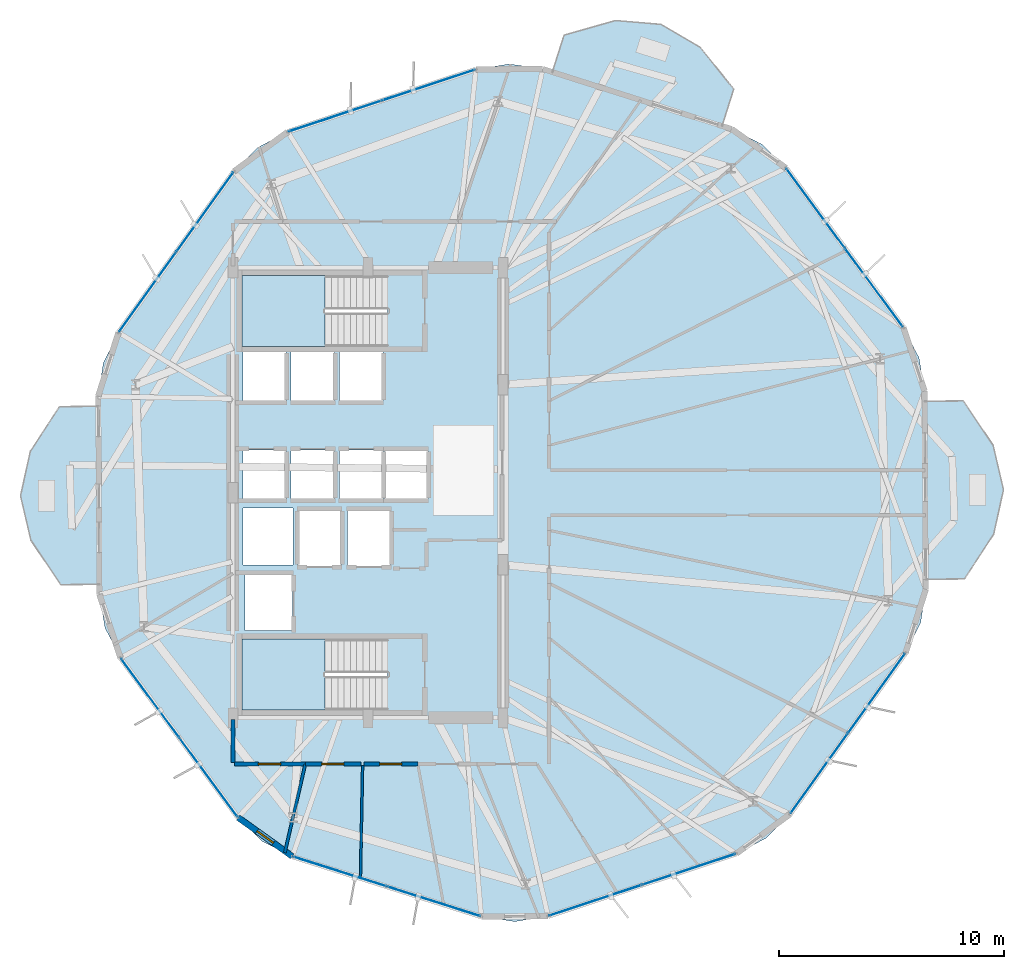
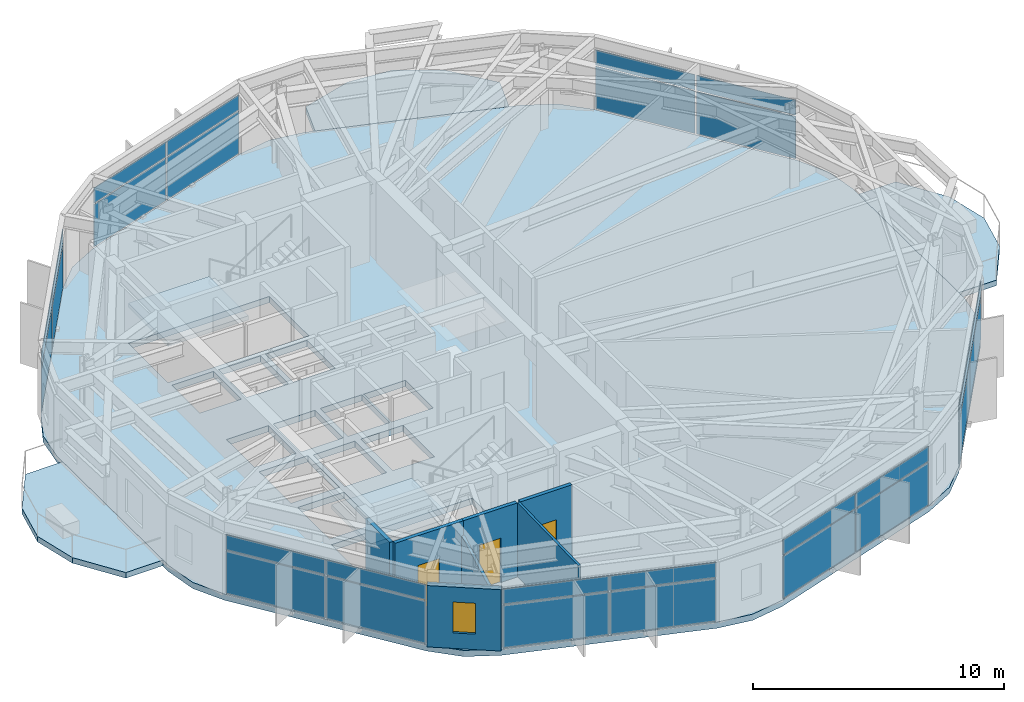
# One storey, part 20 of 27: 28 plates, 7 walls, 6 slabs, 3 doors, 1 window, 4 openings, 9 elements without a shape of their own.
"""IFC4 building model written with IfcOpenShell, lengths in metres."""

import ifcopenshell
import ifcopenshell.guid

model = None  # the IFC model being written
_history = None  # IfcOwnerHistory: only IFC2X3 demands one
_inside = {}  # id of a spatial element -> (the spatial element, [elements in it])
_under = {}  # id of a project, library or spatial element -> (it, [spatial elements below it])
_declared = {}  # id of a project -> (the project, [libraries it declares])
_typed = {}  # id of a type object -> (the type object, [elements of that type])
_made_of = {}  # id of a material, layer set ... -> (it, [elements and type objects made of it])


def new_model(schema):
    """Start an empty IFC model of exactly this schema.

    Asked for "IFC4X3", IfcOpenShell would pick the latest addendum, in which some entities
    have other attributes; the version numbers below select the first issue.
    IFC2X3 requires an IfcOwnerHistory on every rooted entity: one is made here for all.
    """
    global model, _history
    if schema == "IFC4X3":
        model = ifcopenshell.file(schema_version=(4, 3, 0, 0))
    else:
        model = ifcopenshell.file(schema=schema)
    _inside.clear()
    _under.clear()
    _declared.clear()
    _typed.clear()
    _made_of.clear()
    _history = None
    if model.schema == "IFC2X3":
        org = make("IfcOrganization", Name="unknown")
        user = make(
            "IfcPersonAndOrganization",
            ThePerson=make("IfcPerson", FamilyName="unknown"),
            TheOrganization=org,
        )
        app = make(
            "IfcApplication",
            ApplicationDeveloper=org,
            Version="unknown",
            ApplicationFullName="unknown",
            ApplicationIdentifier="unknown",
        )
        _history = make(
            "IfcOwnerHistory",
            OwningUser=user,
            OwningApplication=app,
            ChangeAction="ADDED",
            CreationDate=0,
        )
    return model


def make(cls, **values):
    """One entity of the class cls with the attributes given. An attribute that is None is left unset."""
    return model.create_entity(
        cls, **{name: value for name, value in values.items() if value is not None}
    )


def rooted(cls, **values):
    """An entity with a GlobalId (a new one), such as an element, a storey or a relation."""
    return make(cls, GlobalId=ifcopenshell.guid.new(), OwnerHistory=_history, **values)


def si_unit(unit_type, name, prefix=None):
    """IfcSIUnit, for example si_unit("LENGTHUNIT", "METRE", prefix="MILLI")."""
    return make("IfcSIUnit", UnitType=unit_type, Prefix=prefix, Name=name)


def assignment(units):
    """IfcUnitAssignment: the units of a project."""
    return None if units is None else make("IfcUnitAssignment", Units=units)


def point(xyz):
    """IfcCartesianPoint."""
    return None if xyz is None else make("IfcCartesianPoint", Coordinates=xyz)


def direction(xyz):
    """IfcDirection."""
    return None if xyz is None else make("IfcDirection", DirectionRatios=xyz)


def frame(location, z_axis=None, x_axis=None):
    """IfcAxis2Placement3D, a coordinate frame: its origin and axes. An axis left out is left unset."""
    return make(
        "IfcAxis2Placement3D",
        Location=point(location),
        Axis=direction(z_axis),
        RefDirection=direction(x_axis),
    )


def frame_2d(location, x_axis=None):
    """IfcAxis2Placement2D, a coordinate frame in the plane: its origin and x axis."""
    return make(
        "IfcAxis2Placement2D", Location=point(location), RefDirection=direction(x_axis)
    )


def origin():
    """The frame at (0, 0, 0) with its axes left unset."""
    return frame((0.0, 0.0, 0.0))


def origin_2d():
    """The frame at (0, 0) in the plane with its x axis left unset."""
    return frame_2d((0.0, 0.0))


def place(relative_to, where):
    """IfcLocalPlacement: puts the frame where relative to a parent placement (None: the world)."""
    return make(
        "IfcLocalPlacement", PlacementRelTo=relative_to, RelativePlacement=where
    )


def context(
    kind, dimensions, precision=None, world=None, true_north=None, identifier=None
):
    """IfcGeometricRepresentationContext, for example the 3D "Model" context."""
    return make(
        "IfcGeometricRepresentationContext",
        ContextIdentifier=identifier,
        ContextType=kind,
        CoordinateSpaceDimension=dimensions,
        Precision=precision,
        WorldCoordinateSystem=world,
        TrueNorth=true_north,
    )


def subcontext(parent, identifier, kind, view, scale=None):
    """IfcGeometricRepresentationSubContext, for example "Body" below "Model"."""
    return make(
        "IfcGeometricRepresentationSubContext",
        ContextIdentifier=identifier,
        ContextType=kind,
        ParentContext=parent,
        TargetScale=scale,
        TargetView=view,
    )


def project(units=None, contexts=None):
    """IfcProject with its units and contexts."""
    return rooted(
        "IfcProject",
        Name="project",
        RepresentationContexts=contexts,
        UnitsInContext=assignment(units),
    )


def spatial(cls, under=None, at=None, **own):
    """A site, building, storey or space (cls), placed at a placement, below another one or the project."""
    s = rooted(cls, ObjectPlacement=at, **own)
    if under is not None:
        _under.setdefault(under.id(), (under, []))[1].append(s)
    return s


def polyline(points):
    """IfcPolyline through the points."""
    return make("IfcPolyline", Points=[point(p) for p in points])


def profile(cls, at=None, kind="AREA", **sizes):
    """A parametric profile (cls). Its sizes go by their IFC names, for example OverallWidth=200.0."""
    return make(cls, ProfileType=kind, Position=at, **sizes)


def rectangle(**sizes):
    """IfcRectangleProfileDef."""
    return profile("IfcRectangleProfileDef", **sizes)


def outline(outer, holes=None, kind="AREA"):
    """IfcArbitraryClosedProfileDef: a profile drawn as a closed curve; with holes, ...WithVoids."""
    if holes is None:
        return make("IfcArbitraryClosedProfileDef", ProfileType=kind, OuterCurve=outer)
    return make(
        "IfcArbitraryProfileDefWithVoids",
        ProfileType=kind,
        OuterCurve=outer,
        InnerCurves=holes,
    )


def extrude(swept, where, along, depth):
    """IfcExtrudedAreaSolid: the profile swept, set in the frame where, extruded along a direction by depth."""
    return make(
        "IfcExtrudedAreaSolid",
        SweptArea=swept,
        Position=where,
        ExtrudedDirection=direction(along),
        Depth=depth,
    )


def shape(context_of_items, identifier, shape_type, items):
    """IfcShapeRepresentation: the items that make up one representation, for example the "Body"."""
    return make(
        "IfcShapeRepresentation",
        ContextOfItems=context_of_items,
        RepresentationIdentifier=identifier,
        RepresentationType=shape_type,
        Items=items,
    )


def material(Name=None, Category=None):
    """IfcMaterial."""
    return make("IfcMaterial", Name=Name, Category=Category)


def layer(
    of_material, thickness, ventilated=None, Name=None, Category=None, Priority=None
):
    """IfcMaterialLayer: one layer of a wall or slab, of a material (None: an air gap)."""
    return make(
        "IfcMaterialLayer",
        Material=of_material,
        LayerThickness=thickness,
        IsVentilated=ventilated,
        Name=Name,
        Category=Category,
        Priority=Priority,
    )


def layer_set(layers, Name=None):
    """IfcMaterialLayerSet."""
    return make("IfcMaterialLayerSet", MaterialLayers=layers, LayerSetName=Name)


def made_of(thing, what):
    """Note that an element or type object is made of a material, layer set ...; save() writes the relation."""
    if what is not None:
        _made_of.setdefault(what.id(), (what, []))[1].append(thing)
    return thing


def type_object(cls, material=None, **own):
    """A type object (cls), such as IfcWallType, which elements share."""
    return made_of(rooted(cls, **own), material)


def element(
    cls,
    number,
    at=None,
    inside=None,
    cuts=None,
    type_object=None,
    material=None,
    context=None,
    identifier="Body",
    shape_type=None,
    held_by="IfcProductDefinitionShape",
    body=None,
    shapes=None,
    **own,
):
    """One element of the class cls, such as IfcWall. Its Tag is "e" and its number.

    at: its placement. inside: the storey or other place that contains it. cuts: it is an
    opening in that element (IfcRelVoidsElement). A single representation is given by context,
    identifier, shape_type and body (its items); several are given by shapes. held_by: the class
    of the entity that holds the representations. save() writes the other relations.
    """
    e = rooted(cls, Tag="e%d" % number, ObjectPlacement=at, **own)
    if body is not None:
        shapes = [shape(context, identifier, shape_type, body)]
    if shapes is not None:
        e.Representation = make(held_by, Representations=shapes)
    if inside is not None:
        _inside.setdefault(inside.id(), (inside, []))[1].append(e)
    if cuts is not None:
        rooted(
            "IfcRelVoidsElement", RelatingBuildingElement=cuts, RelatedOpeningElement=e
        )
    if type_object is not None:
        _typed.setdefault(type_object.id(), (type_object, []))[1].append(e)
    return made_of(e, material)


def fill(opening, filler):
    """IfcRelFillsElement: the door or window that sits in an opening."""
    return rooted(
        "IfcRelFillsElement",
        RelatingOpeningElement=opening,
        RelatedBuildingElement=filler,
    )


def aggregate(whole, parts):
    """IfcRelAggregates: a whole, such as a stair, and the parts it consists of."""
    return rooted("IfcRelAggregates", RelatingObject=whole, RelatedObjects=parts)


def save(model, path):
    """Write the relations noted so far, then the file.

    IfcRelAggregates (storeys below a building ...), IfcRelContainedInSpatialStructure (elements
    in a storey), IfcRelDefinesByType, IfcRelAssociatesMaterial and IfcRelDeclares: one each for
    every whole, place, type object, material and project.
    """
    for whole, parts in _under.values():
        aggregate(whole, parts)
    for where, things in _inside.values():
        rooted(
            "IfcRelContainedInSpatialStructure",
            RelatedElements=things,
            RelatingStructure=where,
        )
    for kind, things in _typed.values():
        rooted("IfcRelDefinesByType", RelatedObjects=things, RelatingType=kind)
    for what, things in _made_of.values():
        rooted("IfcRelAssociatesMaterial", RelatedObjects=things, RelatingMaterial=what)
    for by, libraries in _declared.values():
        rooted("IfcRelDeclares", RelatingContext=by, RelatedDefinitions=libraries)
    model.write(path)


model = new_model("IFC4")

# Units and contexts
model_context = context("Model", 3, precision=1e-05, world=origin(), true_north=direction((0.0, 1.0)))
body_context = subcontext(model_context, "Body", "Model", "MODEL_VIEW")
ifc_project = project(units=[si_unit("LENGTHUNIT", "METRE"), si_unit("AREAUNIT", "SQUARE_METRE"), si_unit("VOLUMEUNIT", "CUBIC_METRE"), si_unit("PLANEANGLEUNIT", "RADIAN"), si_unit("MASSUNIT", "GRAM", prefix="KILO")], contexts=[model_context])

# Site, building, storey
site_placement = place(None, origin())
site = spatial("IfcSite", under=ifc_project, at=site_placement, CompositionType="ELEMENT")
building_placement = place(site_placement, origin())
building = spatial("IfcBuilding", under=site, at=building_placement, Name="Soratama Intermodal Tower", CompositionType="ELEMENT")
storey_placement = place(building_placement, frame((0.0, 0.0, 99.10009765625)))
storey = spatial("IfcBuildingStorey", under=building, at=storey_placement, Name="L23", CompositionType="ELEMENT", Elevation=99.10009765625)

# Curtain wall, plates
ifc_material_1 = material(Name="Double-glazed aluminium curtain wall", Category="aluminium")
ifc_layer_1 = layer(ifc_material_1, 0.159912109375)
ifc_layer_set_1 = layer_set([ifc_layer_1], Name="Double-glazed aluminium curtain wall")
curtain_wall_type = type_object("IfcCurtainWallType", Name="CW-SYS-3", PredefinedType="NOTDEFINED", material=ifc_layer_set_1)
curtain_wall_1_placement = place(storey_placement, origin())
curtain_wall_1 = element("IfcCurtainWall", 1, at=curtain_wall_1_placement, inside=storey, type_object=curtain_wall_type, Name="L23 Faceted Curtain Wall F01", PredefinedType="NOTDEFINED")
ifc_material_2 = material(Name="Low-E laminated double glazing", Category="glass")
ifc_layer_2 = layer(ifc_material_2, 0.028076171875)
ifc_layer_set_2 = layer_set([ifc_layer_2], Name="Low-E laminated double glazing")
plate_type = type_object("IfcPlateType", Name="PT-CWP-3", PredefinedType="CURTAIN_PANEL", material=ifc_layer_set_2)
plate_1_placement = place(storey_placement, frame((61.0751953125, 34.119140625, 0.059814453125), z_axis=(0.0, 0.0, 1.0), x_axis=(-0.592854250826, 0.805309777215, 0.0)))
plate_1 = element("IfcPlate", 2, at=plate_1_placement, type_object=plate_type, Name="CW-3 panel 1.1", PredefinedType="CURTAIN_PANEL", context=body_context, shape_type="SweptSolid", body=[
    extrude(rectangle(XDim=4.313232421875, YDim=0.028076171875, at=origin_2d()), origin(), (0.0, 0.0, 1.0), 2.06005859375),
])
plate_2_placement = place(storey_placement, frame((61.0751953125, 34.119140625, 2.1796875), z_axis=(0.0, 0.0, 1.0), x_axis=(-0.592854250826, 0.805309777215, 0.0)))
plate_2 = element("IfcPlate", 3, at=plate_2_placement, type_object=plate_type, Name="CW-3 panel 1.2", PredefinedType="CURTAIN_PANEL", context=body_context, shape_type="SweptSolid", body=[
    extrude(rectangle(XDim=4.313232421875, YDim=0.028076171875, at=origin_2d()), origin(), (0.0, 0.0, 1.0), 0.739013671875),
])
plate_3_placement = place(storey_placement, frame((58.482421875, 37.640869140625, 0.059814453125), z_axis=(0.0, 0.0, 1.0), x_axis=(-0.592854250826, 0.805309777215, 0.0)))
plate_3 = element("IfcPlate", 4, at=plate_3_placement, type_object=plate_type, Name="CW-3 panel 2.1", PredefinedType="CURTAIN_PANEL", context=body_context, shape_type="SweptSolid", body=[
    extrude(rectangle(XDim=4.313232421875, YDim=0.028076171875, at=origin_2d()), origin(), (0.0, 0.0, 1.0), 2.06005859375),
])
plate_4_placement = place(storey_placement, frame((58.482421875, 37.640869140625, 2.1796875), z_axis=(0.0, 0.0, 1.0), x_axis=(-0.592854250826, 0.805309777215, 0.0)))
plate_4 = element("IfcPlate", 5, at=plate_4_placement, type_object=plate_type, Name="CW-3 panel 2.2", PredefinedType="CURTAIN_PANEL", context=body_context, shape_type="SweptSolid", body=[
    extrude(rectangle(XDim=4.313232421875, YDim=0.028076171875, at=origin_2d()), origin(), (0.0, 0.0, 1.0), 0.739013671875),
])
aggregate(curtain_wall_1, [plate_1, plate_2, plate_3, plate_4])

curtain_wall_2_placement = place(storey_placement, origin())
curtain_wall_2 = element("IfcCurtainWall", 6, at=curtain_wall_2_placement, inside=storey, type_object=curtain_wall_type, Name="L23 Faceted Curtain Wall F03", PredefinedType="NOTDEFINED")
plate_5_placement = place(storey_placement, frame((41.294677734375, 43.1064453125, 0.059814453125), z_axis=(0.0, 0.0, 1.0), x_axis=(-0.949093556194, -0.314994319934, 0.0)))
plate_5 = element("IfcPlate", 7, at=plate_5_placement, type_object=plate_type, Name="CW-3 panel 1.1", PredefinedType="CURTAIN_PANEL", context=body_context, shape_type="SweptSolid", body=[
    extrude(rectangle(XDim=4.313232421875, YDim=0.028076171875, at=origin_2d()), origin(), (0.0, 0.0, 1.0), 2.06005859375),
])
plate_6_placement = place(storey_placement, frame((41.294677734375, 43.1064453125, 2.1796875), z_axis=(0.0, 0.0, 1.0), x_axis=(-0.949093556194, -0.314994319934, 0.0)))
plate_6 = element("IfcPlate", 8, at=plate_6_placement, type_object=plate_type, Name="CW-3 panel 1.2", PredefinedType="CURTAIN_PANEL", context=body_context, shape_type="SweptSolid", body=[
    extrude(rectangle(XDim=4.313232421875, YDim=0.028076171875, at=origin_2d()), origin(), (0.0, 0.0, 1.0), 0.739013671875),
])
plate_7_placement = place(storey_placement, frame((37.14404296875, 41.72900390625, 0.059814453125), z_axis=(0.0, 0.0, 1.0), x_axis=(-0.949093556194, -0.314994319934, 0.0)))
plate_7 = element("IfcPlate", 9, at=plate_7_placement, type_object=plate_type, Name="CW-3 panel 2.1", PredefinedType="CURTAIN_PANEL", context=body_context, shape_type="SweptSolid", body=[
    extrude(rectangle(XDim=4.313232421875, YDim=0.028076171875, at=origin_2d()), origin(), (0.0, 0.0, 1.0), 2.06005859375),
])
plate_8_placement = place(storey_placement, frame((37.14404296875, 41.72900390625, 2.1796875), z_axis=(0.0, 0.0, 1.0), x_axis=(-0.949093556194, -0.314994319934, 0.0)))
plate_8 = element("IfcPlate", 10, at=plate_8_placement, type_object=plate_type, Name="CW-3 panel 2.2", PredefinedType="CURTAIN_PANEL", context=body_context, shape_type="SweptSolid", body=[
    extrude(rectangle(XDim=4.313232421875, YDim=0.028076171875, at=origin_2d()), origin(), (0.0, 0.0, 1.0), 0.739013671875),
])
aggregate(curtain_wall_2, [plate_5, plate_6, plate_7, plate_8])

curtain_wall_3_placement = place(storey_placement, origin())
curtain_wall_3 = element("IfcCurtainWall", 11, at=curtain_wall_3_placement, inside=storey, type_object=curtain_wall_type, Name="L23 Faceted Curtain Wall F04", PredefinedType="NOTDEFINED")
plate_9_placement = place(storey_placement, frame((31.359619140625, 37.470458984375, 0.059814453125), z_axis=(0.0, 0.0, 1.0), x_axis=(-0.582687348774, -0.812696409232, 0.0)))
plate_9 = element("IfcPlate", 12, at=plate_9_placement, type_object=plate_type, Name="CW-3 panel 1.1", PredefinedType="CURTAIN_PANEL", context=body_context, shape_type="SweptSolid", body=[
    extrude(rectangle(XDim=4.313232421875, YDim=0.028076171875, at=origin_2d()), origin(), (0.0, 0.0, 1.0), 2.06005859375),
])
plate_10_placement = place(storey_placement, frame((31.359619140625, 37.470458984375, 2.1796875), z_axis=(0.0, 0.0, 1.0), x_axis=(-0.582687348774, -0.812696409232, 0.0)))
plate_10 = element("IfcPlate", 13, at=plate_10_placement, type_object=plate_type, Name="CW-3 panel 1.2", PredefinedType="CURTAIN_PANEL", context=body_context, shape_type="SweptSolid", body=[
    extrude(rectangle(XDim=4.313232421875, YDim=0.028076171875, at=origin_2d()), origin(), (0.0, 0.0, 1.0), 0.739013671875),
])
plate_11_placement = place(storey_placement, frame((28.8115234375, 33.916259765625, 0.059814453125), z_axis=(0.0, 0.0, 1.0), x_axis=(-0.582687348774, -0.812696409232, 0.0)))
plate_11 = element("IfcPlate", 14, at=plate_11_placement, type_object=plate_type, Name="CW-3 panel 2.1", PredefinedType="CURTAIN_PANEL", context=body_context, shape_type="SweptSolid", body=[
    extrude(rectangle(XDim=4.313232421875, YDim=0.028076171875, at=origin_2d()), origin(), (0.0, 0.0, 1.0), 2.06005859375),
])
plate_12_placement = place(storey_placement, frame((28.8115234375, 33.916259765625, 2.1796875), z_axis=(0.0, 0.0, 1.0), x_axis=(-0.582687348774, -0.812696409232, 0.0)))
plate_12 = element("IfcPlate", 15, at=plate_12_placement, type_object=plate_type, Name="CW-3 panel 2.2", PredefinedType="CURTAIN_PANEL", context=body_context, shape_type="SweptSolid", body=[
    extrude(rectangle(XDim=4.313232421875, YDim=0.028076171875, at=origin_2d()), origin(), (0.0, 0.0, 1.0), 0.739013671875),
])
aggregate(curtain_wall_3, [plate_9, plate_10, plate_11, plate_12])

curtain_wall_4_placement = place(storey_placement, origin())
curtain_wall_4 = element("IfcCurtainWall", 16, at=curtain_wall_4_placement, inside=storey, type_object=curtain_wall_type, Name="L23 Faceted Curtain Wall F06", PredefinedType="NOTDEFINED")
plate_13_placement = place(storey_placement, frame((28.9248046875, 15.880859375, 0.059814453125), z_axis=(0.0, 0.0, 1.0), x_axis=(0.592854250826, -0.805309777215, 0.0)))
plate_13 = element("IfcPlate", 17, at=plate_13_placement, type_object=plate_type, Name="CW-3 panel 1.1", PredefinedType="CURTAIN_PANEL", context=body_context, shape_type="SweptSolid", body=[
    extrude(rectangle(XDim=4.313232421875, YDim=0.028076171875, at=origin_2d()), origin(), (0.0, 0.0, 1.0), 2.06005859375),
])
plate_14_placement = place(storey_placement, frame((28.9248046875, 15.880859375, 2.1796875), z_axis=(0.0, 0.0, 1.0), x_axis=(0.592854250826, -0.805309777215, 0.0)))
plate_14 = element("IfcPlate", 18, at=plate_14_placement, type_object=plate_type, Name="CW-3 panel 1.2", PredefinedType="CURTAIN_PANEL", context=body_context, shape_type="SweptSolid", body=[
    extrude(rectangle(XDim=4.313232421875, YDim=0.028076171875, at=origin_2d()), origin(), (0.0, 0.0, 1.0), 0.739013671875),
])
plate_15_placement = place(storey_placement, frame((31.517578125, 12.359130859375, 0.059814453125), z_axis=(0.0, 0.0, 1.0), x_axis=(0.592854250826, -0.805309777215, 0.0)))
plate_15 = element("IfcPlate", 19, at=plate_15_placement, type_object=plate_type, Name="CW-3 panel 2.1", PredefinedType="CURTAIN_PANEL", context=body_context, shape_type="SweptSolid", body=[
    extrude(rectangle(XDim=4.313232421875, YDim=0.028076171875, at=origin_2d()), origin(), (0.0, 0.0, 1.0), 2.06005859375),
])
plate_16_placement = place(storey_placement, frame((31.517578125, 12.359130859375, 2.1796875), z_axis=(0.0, 0.0, 1.0), x_axis=(0.592854250826, -0.805309777215, 0.0)))
plate_16 = element("IfcPlate", 20, at=plate_16_placement, type_object=plate_type, Name="CW-3 panel 2.2", PredefinedType="CURTAIN_PANEL", context=body_context, shape_type="SweptSolid", body=[
    extrude(rectangle(XDim=4.313232421875, YDim=0.028076171875, at=origin_2d()), origin(), (0.0, 0.0, 1.0), 0.739013671875),
])
aggregate(curtain_wall_4, [plate_13, plate_14, plate_15, plate_16])

curtain_wall_5_placement = place(storey_placement, origin())
curtain_wall_5 = element("IfcCurtainWall", 21, at=curtain_wall_5_placement, inside=storey, type_object=curtain_wall_type, Name="L23 Faceted Curtain Wall F07", PredefinedType="NOTDEFINED")
plate_17_placement = place(storey_placement, frame((37.35498046875, 8.173583984375, 0.059814453125), z_axis=(0.0, 0.0, 1.0), x_axis=(0.952979600681, -0.303034454617, 0.0)))
plate_17 = element("IfcPlate", 22, at=plate_17_placement, type_object=plate_type, Name="CW-3 panel 1.1", PredefinedType="CURTAIN_PANEL", context=body_context, shape_type="SweptSolid", body=[
    extrude(rectangle(XDim=4.313232421875, YDim=0.028076171875, at=origin_2d()), origin(), (0.0, 0.0, 1.0), 2.06005859375),
])
plate_18_placement = place(storey_placement, frame((37.35498046875, 8.173583984375, 2.1796875), z_axis=(0.0, 0.0, 1.0), x_axis=(0.952979600681, -0.303034454617, 0.0)))
plate_18 = element("IfcPlate", 23, at=plate_18_placement, type_object=plate_type, Name="CW-3 panel 1.2", PredefinedType="CURTAIN_PANEL", context=body_context, shape_type="SweptSolid", body=[
    extrude(rectangle(XDim=4.313232421875, YDim=0.028076171875, at=origin_2d()), origin(), (0.0, 0.0, 1.0), 0.739013671875),
])
plate_19_placement = place(storey_placement, frame((41.5224609375, 6.848388671875, 0.059814453125), z_axis=(0.0, 0.0, 1.0), x_axis=(0.952979600681, -0.303034454617, 0.0)))
plate_19 = element("IfcPlate", 24, at=plate_19_placement, type_object=plate_type, Name="CW-3 panel 2.1", PredefinedType="CURTAIN_PANEL", context=body_context, shape_type="SweptSolid", body=[
    extrude(rectangle(XDim=4.313232421875, YDim=0.028076171875, at=origin_2d()), origin(), (0.0, 0.0, 1.0), 2.06005859375),
])
plate_20_placement = place(storey_placement, frame((41.5224609375, 6.848388671875, 2.1796875), z_axis=(0.0, 0.0, 1.0), x_axis=(0.952979600681, -0.303034454617, 0.0)))
plate_20 = element("IfcPlate", 25, at=plate_20_placement, type_object=plate_type, Name="CW-3 panel 2.2", PredefinedType="CURTAIN_PANEL", context=body_context, shape_type="SweptSolid", body=[
    extrude(rectangle(XDim=4.313232421875, YDim=0.028076171875, at=origin_2d()), origin(), (0.0, 0.0, 1.0), 0.739013671875),
])
aggregate(curtain_wall_5, [plate_17, plate_18, plate_19, plate_20])

curtain_wall_6_placement = place(storey_placement, origin())
curtain_wall_6 = element("IfcCurtainWall", 26, at=curtain_wall_6_placement, inside=storey, type_object=curtain_wall_type, Name="L23 Faceted Curtain Wall F08", PredefinedType="NOTDEFINED")
plate_21_placement = place(storey_placement, frame((48.705322265625, 6.8935546875, 0.059814453125), z_axis=(0.0, 0.0, 1.0), x_axis=(0.949093556194, 0.314994319934, 0.0)))
plate_21 = element("IfcPlate", 27, at=plate_21_placement, type_object=plate_type, Name="CW-3 panel 1.1", PredefinedType="CURTAIN_PANEL", context=body_context, shape_type="SweptSolid", body=[
    extrude(rectangle(XDim=4.313232421875, YDim=0.028076171875, at=origin_2d()), origin(), (0.0, 0.0, 1.0), 2.06005859375),
])
plate_22_placement = place(storey_placement, frame((48.705322265625, 6.8935546875, 2.1796875), z_axis=(0.0, 0.0, 1.0), x_axis=(0.949093556194, 0.314994319934, 0.0)))
plate_22 = element("IfcPlate", 28, at=plate_22_placement, type_object=plate_type, Name="CW-3 panel 1.2", PredefinedType="CURTAIN_PANEL", context=body_context, shape_type="SweptSolid", body=[
    extrude(rectangle(XDim=4.313232421875, YDim=0.028076171875, at=origin_2d()), origin(), (0.0, 0.0, 1.0), 0.739013671875),
])
plate_23_placement = place(storey_placement, frame((52.85595703125, 8.27099609375, 0.059814453125), z_axis=(0.0, 0.0, 1.0), x_axis=(0.949093556194, 0.314994319934, 0.0)))
plate_23 = element("IfcPlate", 29, at=plate_23_placement, type_object=plate_type, Name="CW-3 panel 2.1", PredefinedType="CURTAIN_PANEL", context=body_context, shape_type="SweptSolid", body=[
    extrude(rectangle(XDim=4.313232421875, YDim=0.028076171875, at=origin_2d()), origin(), (0.0, 0.0, 1.0), 2.06005859375),
])
plate_24_placement = place(storey_placement, frame((52.85595703125, 8.27099609375, 2.1796875), z_axis=(0.0, 0.0, 1.0), x_axis=(0.949093556194, 0.314994319934, 0.0)))
plate_24 = element("IfcPlate", 30, at=plate_24_placement, type_object=plate_type, Name="CW-3 panel 2.2", PredefinedType="CURTAIN_PANEL", context=body_context, shape_type="SweptSolid", body=[
    extrude(rectangle(XDim=4.313232421875, YDim=0.028076171875, at=origin_2d()), origin(), (0.0, 0.0, 1.0), 0.739013671875),
])
aggregate(curtain_wall_6, [plate_21, plate_22, plate_23, plate_24])

curtain_wall_7_placement = place(storey_placement, origin())
curtain_wall_7 = element("IfcCurtainWall", 31, at=curtain_wall_7_placement, inside=storey, type_object=curtain_wall_type, Name="L23 Faceted Curtain Wall F09", PredefinedType="NOTDEFINED")
plate_25_placement = place(storey_placement, frame((58.640380859375, 12.529541015625, 0.059814453125), z_axis=(0.0, 0.0, 1.0), x_axis=(0.582687348774, 0.812696409232, 0.0)))
plate_25 = element("IfcPlate", 32, at=plate_25_placement, type_object=plate_type, Name="CW-3 panel 1.1", PredefinedType="CURTAIN_PANEL", context=body_context, shape_type="SweptSolid", body=[
    extrude(rectangle(XDim=4.313232421875, YDim=0.028076171875, at=origin_2d()), origin(), (0.0, 0.0, 1.0), 2.06005859375),
])
plate_26_placement = place(storey_placement, frame((58.640380859375, 12.529541015625, 2.1796875), z_axis=(0.0, 0.0, 1.0), x_axis=(0.582687348774, 0.812696409232, 0.0)))
plate_26 = element("IfcPlate", 33, at=plate_26_placement, type_object=plate_type, Name="CW-3 panel 1.2", PredefinedType="CURTAIN_PANEL", context=body_context, shape_type="SweptSolid", body=[
    extrude(rectangle(XDim=4.313232421875, YDim=0.028076171875, at=origin_2d()), origin(), (0.0, 0.0, 1.0), 0.739013671875),
])
plate_27_placement = place(storey_placement, frame((61.1884765625, 16.083740234375, 0.059814453125), z_axis=(0.0, 0.0, 1.0), x_axis=(0.582687348774, 0.812696409232, 0.0)))
plate_27 = element("IfcPlate", 34, at=plate_27_placement, type_object=plate_type, Name="CW-3 panel 2.1", PredefinedType="CURTAIN_PANEL", context=body_context, shape_type="SweptSolid", body=[
    extrude(rectangle(XDim=4.313232421875, YDim=0.028076171875, at=origin_2d()), origin(), (0.0, 0.0, 1.0), 2.06005859375),
])
plate_28_placement = place(storey_placement, frame((61.1884765625, 16.083740234375, 2.1796875), z_axis=(0.0, 0.0, 1.0), x_axis=(0.582687348774, 0.812696409232, 0.0)))
plate_28 = element("IfcPlate", 35, at=plate_28_placement, type_object=plate_type, Name="CW-3 panel 2.2", PredefinedType="CURTAIN_PANEL", context=body_context, shape_type="SweptSolid", body=[
    extrude(rectangle(XDim=4.313232421875, YDim=0.028076171875, at=origin_2d()), origin(), (0.0, 0.0, 1.0), 0.739013671875),
])
aggregate(curtain_wall_7, [plate_25, plate_26, plate_27, plate_28])

# Slabs
ifc_material_3 = material(Name="Concrete f'c 42 MPa", Category="concrete")
ifc_layer_3 = layer(ifc_material_3, 0.27001953125)
ifc_layer_set_3 = layer_set([ifc_layer_3], Name="Concrete f'c 42 MPa")
slab_type_1 = type_object("IfcSlabType", Name="SL-EXT-BAL1", PredefinedType="FLOOR", material=ifc_layer_set_3)
slab_1_placement = place(storey_placement, frame((0.0, 0.0, -0.27001953125)))
element("IfcSlab", 36, at=slab_1_placement, inside=storey, type_object=slab_type_1, Name="L23 Planted Balcony East 1", PredefinedType="FLOOR", context=body_context, shape_type="SweptSolid", body=[
    extrude(outline(polyline([(63.37646484375, 21.162109375), (63.32666015625, 29.068603515625), (65.046630859375, 29.079345703125), (66.369873046875, 27.111083984375), (66.831298828125, 25.13720703125), (66.394775390625, 23.15771484375), (65.09619140625, 21.1728515625), (63.37646484375, 21.162109375)])), origin(), (0.0, 0.0, 1.0), 0.27001953125),
])
slab_2_placement = place(storey_placement, frame((0.0, 0.0, -0.27001953125)))
element("IfcSlab", 37, at=slab_2_placement, inside=storey, type_object=slab_type_1, Name="L23 Planted Balcony North 2", PredefinedType="FLOOR", context=body_context, shape_type="SweptSolid", body=[
    extrude(outline(polyline([(54.32861328125, 41.291015625), (46.793701171875, 43.68701171875), (47.315185546875, 45.326171875), (49.595947265625, 45.976318359375), (51.61572265625, 45.805419921875), (53.36328125, 44.7783203125), (54.849853515625, 42.93017578125), (54.32861328125, 41.291015625)])), origin(), (0.0, 0.0, 1.0), 0.27001953125),
])
slab_3_placement = place(storey_placement, frame((0.0, 0.0, -0.27001953125)))
element("IfcSlab", 38, at=slab_3_placement, inside=storey, type_object=slab_type_1, Name="L23 Planted Balcony West 3", PredefinedType="FLOOR", context=body_context, shape_type="SweptSolid", body=[
    extrude(outline(polyline([(26.62353515625, 28.837890625), (26.67333984375, 20.931396484375), (24.953369140625, 20.920654296875), (23.630126953125, 22.888916015625), (23.168701171875, 24.86279296875), (23.605224609375, 26.84228515625), (24.90380859375, 28.8271484375), (26.62353515625, 28.837890625)])), origin(), (0.0, 0.0, 1.0), 0.27001953125),
])

# Stair, slab
ifc_material_4 = material(Name="Concrete f'c 42 MPa", Category="concrete")
stair_type = type_object("IfcStairType", Name="ST-CORE-DOGLEG", PredefinedType="HALF_TURN_STAIR", material=ifc_material_4)
stair_1_placement = place(storey_placement, origin())
stair_1 = element("IfcStair", 39, at=stair_1_placement, inside=storey, type_object=stair_type, Name="L23 ST-1", PredefinedType="HALF_TURN_STAIR")
ifc_material_5 = material(Name="Concrete f'c 42 MPa", Category="concrete")
ifc_layer_4 = layer(ifc_material_5, 0.219970703125)
ifc_layer_set_4 = layer_set([ifc_layer_4], Name="Concrete f'c 42 MPa")
slab_type_2 = type_object("IfcSlabType", Name="SL-STAIR-LAND", PredefinedType="LANDING", material=ifc_layer_set_4)
slab_4_placement = place(storey_placement, frame((0.0, 0.0, 1.75)))
slab_4 = element("IfcSlab", 40, at=slab_4_placement, type_object=slab_type_2, Name="ST-1 landing 1", PredefinedType="LANDING", context=body_context, shape_type="SweptSolid", body=[
    extrude(outline(polyline([(36.699951171875, 18.5), (33.0, 18.5), (33.0, 15.35009765625), (36.699951171875, 15.35009765625), (36.699951171875, 18.5)])), origin(), (0.0, 0.0, 1.0), 0.199951171875),
])
aggregate(stair_1, [slab_4])

stair_2_placement = place(storey_placement, origin())
stair_2 = element("IfcStair", 41, at=stair_2_placement, inside=storey, type_object=stair_type, Name="L23 ST-2", PredefinedType="HALF_TURN_STAIR")
slab_5_placement = place(storey_placement, frame((0.0, 0.0, 1.75)))
slab_5 = element("IfcSlab", 42, at=slab_5_placement, type_object=slab_type_2, Name="ST-2 landing 1", PredefinedType="LANDING", context=body_context, shape_type="SweptSolid", body=[
    extrude(outline(polyline([(36.699951171875, 34.64990234375), (33.0, 34.64990234375), (33.0, 31.5), (36.699951171875, 31.5), (36.699951171875, 34.64990234375)])), origin(), (0.0, 0.0, 1.0), 0.199951171875),
])
aggregate(stair_2, [slab_5])

# Slab
ifc_material_6 = material(Name="Concrete f'c 42 MPa", Category="concrete")
ifc_layer_5 = layer(ifc_material_6, 0.280029296875)
ifc_layer_set_5 = layer_set([ifc_layer_5], Name="Concrete f'c 42 MPa")
slab_type_3 = type_object("IfcSlabType", Name="SL-TWR-280", PredefinedType="FLOOR", material=ifc_layer_set_5)
slab_6_placement = place(storey_placement, frame((0.0, 0.0, -0.300048828125)))
element("IfcSlab", 43, at=slab_6_placement, inside=storey, type_object=slab_type_3, Name="L23 Structural Floor Slab", PredefinedType="FLOOR", context=body_context, shape_type="SweptSolid", body=[
    extrude(outline(polyline([(63.32373046875, 29.5185546875), (63.07958984375, 31.000244140625), (62.389404296875, 32.333984375), (57.16845703125, 39.426025390625), (56.099853515625, 40.481201171875), (54.757568359375, 41.154541015625), (46.364990234375, 43.8232421875), (44.88037109375, 44.048828125), (43.3984375, 43.8046875), (35.040283203125, 41.03076171875), (33.70654296875, 40.340576171875), (32.6513671875, 39.27197265625), (27.519775390625, 32.114990234375), (26.846435546875, 30.772705078125), (26.620849609375, 29.287841796875), (26.67626953125, 20.4814453125), (26.92041015625, 18.999755859375), (27.610595703125, 17.666015625), (32.83154296875, 10.573974609375), (33.900146484375, 9.518798828125), (35.242431640625, 8.845458984375), (43.635009765625, 6.1767578125), (45.11962890625, 5.951171875), (46.6015625, 6.1953125), (54.959716796875, 8.96923828125), (56.29345703125, 9.659423828125), (57.3486328125, 10.72802734375), (62.480224609375, 17.885009765625), (63.153564453125, 19.227294921875), (63.379150390625, 20.712158203125), (63.32373046875, 29.5185546875)]), holes=[polyline([(33.0, 18.5), (33.0, 15.35009765625), (39.47509765625, 15.35009765625), (39.47509765625, 18.5), (33.0, 18.5)]), polyline([(35.260009765625, 18.889892578125), (35.260009765625, 21.409912109375), (33.139892578125, 21.409912109375), (33.139892578125, 18.889892578125), (35.260009765625, 18.889892578125)]), polyline([(33.050048828125, 21.800048828125), (35.280029296875, 21.800048828125), (35.280029296875, 24.320068359375), (33.050048828125, 24.320068359375), (33.050048828125, 21.800048828125)]), polyline([(34.9599609375, 26.909912109375), (33.0400390625, 26.909912109375), (33.0400390625, 24.68994140625), (34.9599609375, 24.68994140625), (34.9599609375, 26.909912109375)]), polyline([(37.110107421875, 24.68994140625), (37.110107421875, 26.909912109375), (35.18994140625, 26.909912109375), (35.18994140625, 24.68994140625), (37.110107421875, 24.68994140625)]), polyline([(34.9599609375, 29.0400390625), (34.9599609375, 31.260009765625), (33.0400390625, 31.260009765625), (33.0400390625, 29.0400390625), (34.9599609375, 29.0400390625)]), polyline([(37.110107421875, 31.260009765625), (35.18994140625, 31.260009765625), (35.18994140625, 29.0400390625), (37.110107421875, 29.0400390625), (37.110107421875, 31.260009765625)]), polyline([(37.409912109375, 21.739990234375), (37.409912109375, 24.260009765625), (35.489990234375, 24.260009765625), (35.489990234375, 21.739990234375), (37.409912109375, 21.739990234375)]), polyline([(39.610107421875, 21.739990234375), (39.610107421875, 24.260009765625), (37.68994140625, 24.260009765625), (37.68994140625, 21.739990234375), (39.610107421875, 21.739990234375)]), polyline([(39.260009765625, 24.68994140625), (39.260009765625, 26.909912109375), (37.340087890625, 26.909912109375), (37.340087890625, 24.68994140625), (39.260009765625, 24.68994140625)]), polyline([(41.260009765625, 24.68994140625), (41.260009765625, 26.909912109375), (39.340087890625, 26.909912109375), (39.340087890625, 24.68994140625), (41.260009765625, 24.68994140625)]), polyline([(39.260009765625, 29.0400390625), (39.260009765625, 31.260009765625), (37.340087890625, 31.260009765625), (37.340087890625, 29.0400390625), (39.260009765625, 29.0400390625)]), polyline([(39.47509765625, 34.64990234375), (33.0, 34.64990234375), (33.0, 31.5), (39.47509765625, 31.5), (39.47509765625, 34.64990234375)])]), origin(), (0.0, 0.0, 1.0), 0.300048828125),
])

# Wall, opening, window
ifc_material_7 = material(Name="Concrete f'c 42 MPa", Category="concrete")
ifc_layer_6 = layer(ifc_material_7, 0.27001953125)
ifc_layer_set_6 = layer_set([ifc_layer_6], Name="Concrete f'c 42 MPa")
wall_type_1 = type_object("IfcWallType", Name="EW-CRN-270", PredefinedType="SOLIDWALL", material=ifc_layer_set_6)
wall_1_placement = place(storey_placement, frame((32.83154296875, 10.573974609375, 0.0), z_axis=(0.0, 0.0, 1.0), x_axis=(0.81270345811, -0.582677517308, 0.0)))
wall_1 = element("IfcWall", 44, at=wall_1_placement, inside=storey, type_object=wall_type_1, Name="L23 Corner Closure Wall 06", PredefinedType="SOLIDWALL", context=body_context, shape_type="SweptSolid", body=[
    extrude(rectangle(XDim=2.966552734375, YDim=0.27001953125, at=frame_2d((1.4833984375, 0.0))), origin(), (0.0, 0.0, 1.0), 2.97900390625),
])
opening_1_placement = place(wall_1_placement, frame((1.033203125, 0.0, 0.75)))
opening_1 = element("IfcOpeningElement", 45, at=opening_1_placement, cuts=wall_1, Name="Opening WN-6", PredefinedType="OPENING", context=body_context, shape_type="SweptSolid", body=[
    extrude(rectangle(XDim=0.89990234375, YDim=1.5, at=frame_2d((0.449951171875, 0.75))), frame((0.0, 0.14501953125, 0.0), z_axis=(0.0, -1.0, 0.0), x_axis=(1.0, 0.0, 0.0)), (0.0, 0.0, 1.0), 0.2900390625),
])
ifc_material_8 = material(Name="Double-glazed aluminium window", Category="aluminium")
window_type = type_object("IfcWindowType", Name="WN-FAC-900", PartitioningType="SINGLE_PANEL", PredefinedType="WINDOW", material=ifc_material_8)
window_placement = place(opening_1_placement, origin())
window = element("IfcWindow", 46, at=window_placement, inside=storey, type_object=window_type, Name="L23 Corner Window 06", OverallHeight=1.5, OverallWidth=0.89990234375, PartitioningType="SINGLE_PANEL", PredefinedType="WINDOW", context=body_context, shape_type="SweptSolid", body=[
    extrude(rectangle(XDim=0.89990234375, YDim=1.5, at=frame_2d((0.449951171875, 0.75))), frame((0.0, 0.030029296875, 0.0), z_axis=(0.0, -1.0, 0.0), x_axis=(1.0, 0.0, 0.0)), (0.0, 0.0, 1.0), 0.06005859375),
])
fill(opening_1, window)

# Wall, opening, door
ifc_material_9 = material(Name="Fire-rated gypsum stud partition", Category="concrete")
ifc_layer_7 = layer(ifc_material_9, 0.169921875)
ifc_layer_set_7 = layer_set([ifc_layer_7], Name="Fire-rated gypsum stud partition")
wall_type_2 = type_object("IfcWallType", Name="IW-PART-R170", PredefinedType="PARTITIONING", material=ifc_layer_set_7)
wall_2_placement = place(storey_placement, frame((35.819091796875, 12.949951171875, 0.0), z_axis=(0.0, 0.0, 1.0), x_axis=(-1.0, 0.0, 0.0)))
wall_2 = element("IfcWall", 47, at=wall_2_placement, inside=storey, type_object=wall_type_2, Name="L23 Partition W-L23-TP024", PredefinedType="PARTITIONING", context=body_context, shape_type="SweptSolid", body=[
    extrude(rectangle(XDim=3.149169921875, YDim=0.169921875, at=frame_2d((1.57470703125, 0.0))), origin(), (0.0, 0.0, 1.0), 3.599853515625),
])
opening_2_placement = place(wall_2_placement, frame((1.10009765625, 0.0, 0.0)))
opening_2 = element("IfcOpeningElement", 48, at=opening_2_placement, cuts=wall_2, Name="Opening ID-5", PredefinedType="OPENING", context=body_context, shape_type="SweptSolid", body=[
    extrude(rectangle(XDim=0.97998046875, YDim=2.14990234375, at=frame_2d((0.489990234375, 1.074951171875))), frame((0.0, 0.094970703125, 0.0), z_axis=(0.0, -1.0, 0.0), x_axis=(1.0, 0.0, 0.0)), (0.0, 0.0, 1.0), 0.18994140625),
])
ifc_material_10 = material(Name="Solid hardwood acoustic door", Category="wood")
door_type = type_object("IfcDoorType", Name="DR-OFF-980", OperationType="NOTDEFINED", PredefinedType="DOOR", material=ifc_material_10)
door_1_placement = place(opening_2_placement, origin())
door_1 = element("IfcDoor", 49, at=door_1_placement, inside=storey, type_object=door_type, Name="L23 Door D-L23-TP008", OperationType="SINGLE_SWING_LEFT", OverallHeight=2.14990234375, OverallWidth=0.97998046875, PredefinedType="DOOR", context=body_context, shape_type="SweptSolid", body=[
    extrude(rectangle(XDim=0.97998046875, YDim=2.14990234375, at=frame_2d((0.489990234375, 1.074951171875))), frame((0.0, 0.02490234375, 0.0), z_axis=(0.0, -1.0, 0.0), x_axis=(1.0, 0.0, 0.0)), (0.0, 0.0, 1.0), 0.050048828125),
])
fill(opening_2, door_1)

wall_3_placement = place(storey_placement, frame((38.2939453125, 12.949951171875, 0.0), z_axis=(0.0, 0.0, 1.0), x_axis=(-1.0, 0.0, 0.0)))
wall_3 = element("IfcWall", 50, at=wall_3_placement, inside=storey, type_object=wall_type_2, Name="L23 Partition W-L23-TP029", PredefinedType="PARTITIONING", context=body_context, shape_type="SweptSolid", body=[
    extrude(rectangle(XDim=2.474853515625, YDim=0.169921875, at=frame_2d((1.2373046875, 0.0))), origin(), (0.0, 0.0, 1.0), 3.599853515625),
])
opening_3_placement = place(wall_3_placement, frame((0.761962890625, 0.0, 0.0)))
opening_3 = element("IfcOpeningElement", 51, at=opening_3_placement, cuts=wall_3, Name="Opening ID-5", PredefinedType="OPENING", context=body_context, shape_type="SweptSolid", body=[
    extrude(rectangle(XDim=0.97998046875, YDim=2.14990234375, at=frame_2d((0.489990234375, 1.074951171875))), frame((0.0, 0.094970703125, 0.0), z_axis=(0.0, -1.0, 0.0), x_axis=(1.0, 0.0, 0.0)), (0.0, 0.0, 1.0), 0.18994140625),
])
door_2_placement = place(opening_3_placement, origin())
door_2 = element("IfcDoor", 52, at=door_2_placement, inside=storey, type_object=door_type, Name="L23 Door D-L23-TP013", OperationType="SINGLE_SWING_RIGHT", OverallHeight=2.14990234375, OverallWidth=0.97998046875, PredefinedType="DOOR", context=body_context, shape_type="SweptSolid", body=[
    extrude(rectangle(XDim=0.97998046875, YDim=2.14990234375, at=frame_2d((0.489990234375, 1.074951171875))), frame((0.0, 0.02490234375, 0.0), z_axis=(0.0, -1.0, 0.0), x_axis=(1.0, 0.0, 0.0)), (0.0, 0.0, 1.0), 0.050048828125),
])
fill(opening_3, door_2)

wall_4_placement = place(storey_placement, frame((40.81494140625, 12.949951171875, 0.0), z_axis=(0.0, 0.0, 1.0), x_axis=(-1.0, 0.0, 0.0)))
wall_4 = element("IfcWall", 53, at=wall_4_placement, inside=storey, type_object=wall_type_2, Name="L23 Partition W-L23-TP031", PredefinedType="PARTITIONING", context=body_context, shape_type="SweptSolid", body=[
    extrude(rectangle(XDim=2.380859375, YDim=0.169921875, at=frame_2d((1.1904296875, 0.0))), origin(), (0.0, 0.0, 1.0), 3.599853515625),
])
opening_4_placement = place(wall_4_placement, frame((0.716064453125, 0.0, 0.0)))
opening_4 = element("IfcOpeningElement", 54, at=opening_4_placement, cuts=wall_4, Name="Opening ID-5", PredefinedType="OPENING", context=body_context, shape_type="SweptSolid", body=[
    extrude(rectangle(XDim=0.97998046875, YDim=2.14990234375, at=frame_2d((0.489990234375, 1.074951171875))), frame((0.0, 0.094970703125, 0.0), z_axis=(0.0, -1.0, 0.0), x_axis=(1.0, 0.0, 0.0)), (0.0, 0.0, 1.0), 0.18994140625),
])
door_3_placement = place(opening_4_placement, origin())
door_3 = element("IfcDoor", 55, at=door_3_placement, inside=storey, type_object=door_type, Name="L23 Door D-L23-TP015", OperationType="SINGLE_SWING_RIGHT", OverallHeight=2.14990234375, OverallWidth=0.97998046875, PredefinedType="DOOR", context=body_context, shape_type="SweptSolid", body=[
    extrude(rectangle(XDim=0.97998046875, YDim=2.14990234375, at=frame_2d((0.489990234375, 1.074951171875))), frame((0.0, 0.02490234375, 0.0), z_axis=(0.0, -1.0, 0.0), x_axis=(1.0, 0.0, 0.0)), (0.0, 0.0, 1.0), 0.050048828125),
])
fill(opening_4, door_3)

# Walls
wall_5_placement = place(storey_placement, frame((32.60009765625, 13.02001953125, 0.0), z_axis=(0.0, 0.0, 1.0), x_axis=(0.0, 1.0, 0.0)))
element("IfcWall", 56, at=wall_5_placement, inside=storey, type_object=wall_type_2, Name="L23 Partition W-L23-TP035", PredefinedType="PARTITIONING", context=body_context, shape_type="SweptSolid", body=[
    extrude(rectangle(XDim=1.909912109375, YDim=0.169921875, at=frame_2d((0.955078125, 0.0))), origin(), (0.0, 0.0, 1.0), 3.599853515625),
])
ifc_material_11 = material(Name="Fire-rated gypsum stud partition", Category="concrete")
ifc_layer_8 = layer(ifc_material_11, 0.110107421875)
ifc_layer_set_8 = layer_set([ifc_layer_8], Name="Fire-rated gypsum stud partition")
wall_type_3 = type_object("IfcWallType", Name="IW-PART-S110", PredefinedType="PARTITIONING", material=ifc_layer_set_8)
wall_6_placement = place(storey_placement, frame((38.364013671875, 12.87890625, 0.0), z_axis=(0.0, 0.0, 1.0), x_axis=(-0.019401010691, -0.999811782679, 0.0)))
element("IfcWall", 57, at=wall_6_placement, inside=storey, type_object=wall_type_3, Name="L23 Partition W-L23-TP018", PredefinedType="PARTITIONING", context=body_context, shape_type="SweptSolid", body=[
    extrude(rectangle(XDim=4.995849609375, YDim=0.110107421875, at=frame_2d((2.498046875, 0.0))), origin(), (0.0, 0.0, 1.0), 3.599853515625),
])
ifc_material_12 = material(Name="Fire-rated gypsum stud partition", Category="concrete")
ifc_layer_9 = layer(ifc_material_12, 0.1298828125)
ifc_layer_set_9 = layer_set([ifc_layer_9], Name="Fire-rated gypsum stud partition")
wall_type_4 = type_object("IfcWallType", Name="IW-PART-S130", PredefinedType="PARTITIONING", material=ifc_layer_set_9)
wall_7_placement = place(storey_placement, frame((35.819091796875, 12.949951171875, 0.0), z_axis=(0.0, 0.0, 1.0), x_axis=(-0.225238970117, -0.974303549383, 0.0)))
element("IfcWall", 58, at=wall_7_placement, inside=storey, type_object=wall_type_4, Name="L23 Partition W-L23-TP021", PredefinedType="PARTITIONING", context=body_context, shape_type="SweptSolid", body=[
    extrude(rectangle(XDim=4.040771484375, YDim=0.1298828125, at=frame_2d((2.0205078125, 0.0))), origin(), (0.0, 0.0, 1.0), 2.89501953125),
])

save(model, "model.ifc")
